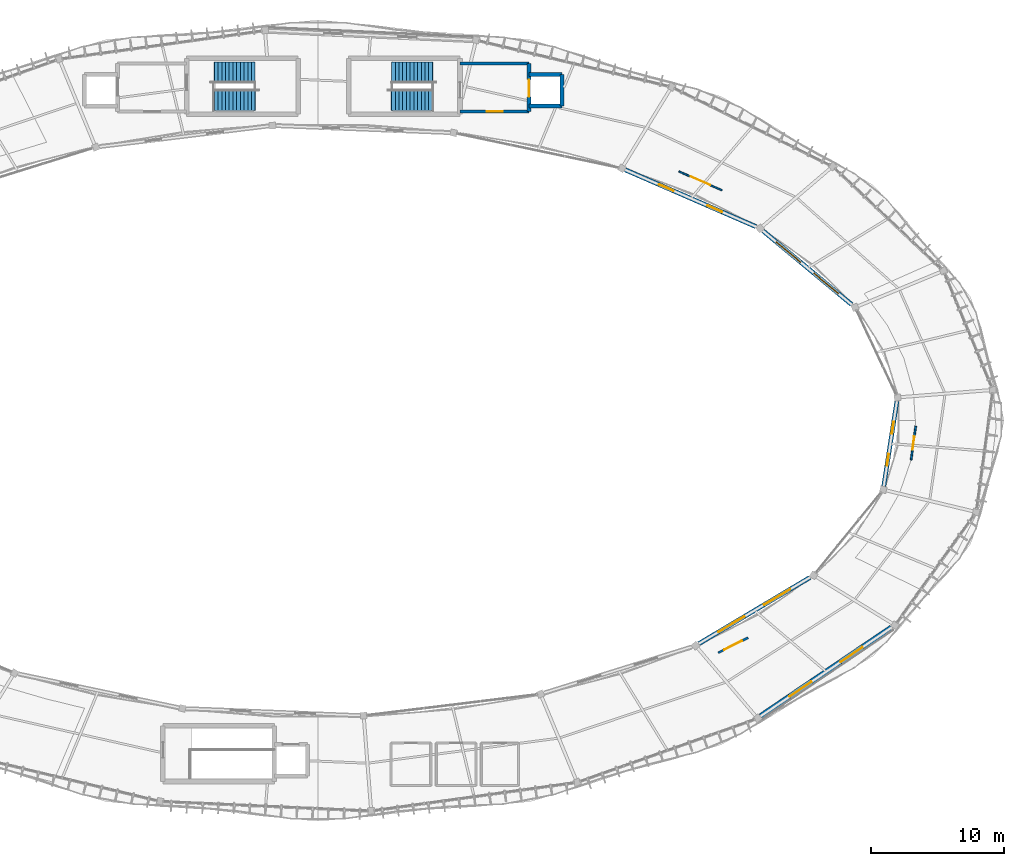
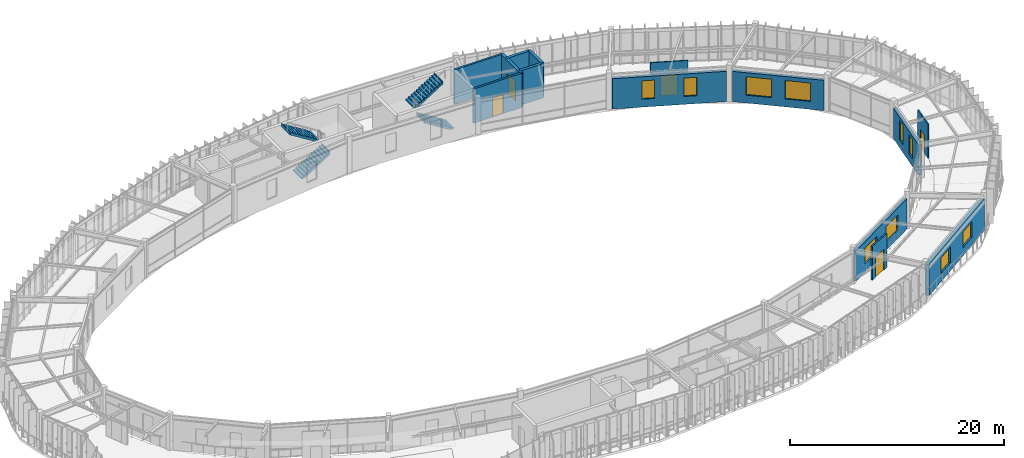
# One storey, part 70 of 78: 14 walls, 10 windows, 5 doors, 4 stair flights, 15 openings, 2 elements without a shape of their own.
"""IFC4 building model written with IfcOpenShell, lengths in metres."""

from ifc_helpers import new_model, si_unit, direction, frame, frame_2d, origin, place, context, subcontext, project, spatial, polyline, rectangle, outline, extrude, material, layer, layer_set, type_object, element, fill, aggregate, save


model = new_model("IFC4")

# Units and contexts
model_context = context("Model", 3, precision=1e-05, world=origin(), true_north=direction((0.0, 1.0)))
body_context = subcontext(model_context, "Body", "Model", "MODEL_VIEW")
ifc_project = project(units=[si_unit("LENGTHUNIT", "METRE"), si_unit("AREAUNIT", "SQUARE_METRE"), si_unit("VOLUMEUNIT", "CUBIC_METRE"), si_unit("PLANEANGLEUNIT", "RADIAN"), si_unit("MASSUNIT", "GRAM", prefix="KILO"), si_unit("THERMODYNAMICTEMPERATUREUNIT", "KELVIN"), si_unit("POWERUNIT", "WATT")], contexts=[model_context])

# Site, building, storey
site_placement = place(None, origin())
site = spatial("IfcSite", under=ifc_project, at=site_placement, CompositionType="ELEMENT")
building_placement = place(site_placement, origin())
building = spatial("IfcBuilding", under=site, at=building_placement, Name="Darbajah Civic Hall", CompositionType="ELEMENT")
storey_placement = place(building_placement, frame((0.0, 0.0, 26.39990234375)))
storey = spatial("IfcBuildingStorey", under=building, at=storey_placement, Name="L06", CompositionType="ELEMENT", Elevation=26.39990234375)

# Wall, opening, door
ifc_material_1 = material(Name="Concrete C45/55", Category="concrete")
ifc_layer_1 = layer(ifc_material_1, 0.300048828125, Name="Concrete C45/55")
ifc_layer_set_1 = layer_set([ifc_layer_1], Name="Concrete C45/55")
wall_type_1 = type_object("IfcWallType", Name="Core Shear Wall 300mm", PredefinedType="SHEAR", material=ifc_layer_set_1)
wall_1_placement = place(storey_placement, frame((105.0, 113.10009765625, 0.0), z_axis=(0.0, 0.0, 1.0), x_axis=(0.0, 1.0, 0.0)))
wall_1 = element("IfcWall", 1, at=wall_1_placement, inside=storey, type_object=wall_type_1, Name="L06 firefighting lobby C02 wall E", PredefinedType="SHEAR", context=body_context, shape_type="SweptSolid", body=[
    extrude(rectangle(XDim=3.599853515625, YDim=0.300048828125, at=frame_2d((1.7998046875, 0.0))), origin(), (0.0, 0.0, 1.0), 3.920166015625),
])
opening_1_placement = place(wall_1_placement, frame((1.10009765625, 0.0, 0.0)))
opening_1 = element("IfcOpeningElement", 2, at=opening_1_placement, cuts=wall_1, Name="Opening LD-0042", PredefinedType="OPENING", context=body_context, shape_type="SweptSolid", body=[
    extrude(rectangle(XDim=1.300048828125, YDim=2.300048828125, at=frame_2d((0.64990234375, 1.14990234375))), frame((0.0, 0.159912109375, 0.0), z_axis=(0.0, -1.0, 0.0), x_axis=(1.0, 0.0, 0.0)), (0.0, 0.0, 1.0), 0.320068359375),
])
ifc_material_2 = material(Name="Firefighting Lift Landing Door")
door_type_1 = type_object("IfcDoorType", Name="Lift Landing Door 1300x2300", OperationType="SLIDING_TO_LEFT", PredefinedType="DOOR", material=ifc_material_2)
door_1_placement = place(opening_1_placement, origin())
door_1 = element("IfcDoor", 3, at=door_1_placement, inside=storey, type_object=door_type_1, Name="L06 firefighting lift FL2 landing door LD-0042", OperationType="SLIDING_TO_LEFT", OverallHeight=2.300048828125, OverallWidth=1.300048828125, PredefinedType="DOOR", context=body_context, shape_type="SweptSolid", body=[
    extrude(rectangle(XDim=1.300048828125, YDim=2.300048828125, at=frame_2d((0.64990234375, 1.14990234375))), frame((0.0, 0.02490234375, 0.0), z_axis=(0.0, -1.0, 0.0), x_axis=(1.0, 0.0, 0.0)), (0.0, 0.0, 1.0), 0.050048828125),
])
fill(opening_1, door_1)

# Walls
for number, where, z_axis, x_axis, name in (
    (4, (107.5, 115.89990234375, 0.0), (0.0, 0.0, 1.0), (-1.0, 0.0, 0.0), "L06 lift FL2 shaft wall N"),
    (5, (105.0, 113.5, 0.0), (0.0, 0.0, 1.0), (1.0, 0.0, 0.0), "L06 lift FL2 shaft wall S"),
):
    element("IfcWall", number, at=place(storey_placement, frame(where, z_axis=z_axis, x_axis=x_axis)), inside=storey, type_object=wall_type_1, Name=name, PredefinedType="SHEAR", context=body_context, shape_type="SweptSolid", body=[
        extrude(rectangle(XDim=2.5, YDim=0.300048828125, at=frame_2d((1.25, 0.0))), origin(), (0.0, 0.0, 1.0), 3.920166015625),
    ])
wall_2_placement = place(storey_placement, frame((107.5, 113.5, 0.0), z_axis=(0.0, 0.0, 1.0), x_axis=(0.0, 1.0, 0.0)))
element("IfcWall", 6, at=wall_2_placement, inside=storey, type_object=wall_type_1, Name="L06 lift FL2 shaft wall OUT", PredefinedType="SHEAR", context=body_context, shape_type="SweptSolid", body=[
    extrude(rectangle(XDim=2.39990234375, YDim=0.300048828125, at=frame_2d((1.199951171875, 0.0))), origin(), (0.0, 0.0, 1.0), 3.920166015625),
])

# Wall, openings, windows
ifc_material_3 = material(Name="Qatari Desert Limestone Ashlar", Category="masonry")
ifc_layer_2 = layer(ifc_material_3, 0.340087890625, Name="Qatari Desert Limestone Ashlar")
ifc_layer_set_2 = layer_set([ifc_layer_2], Name="Qatari Desert Limestone Ashlar")
wall_type_2 = type_object("IfcWallType", Name="Exterior Wall 340mm", PredefinedType="SOLIDWALL", material=ifc_layer_set_2)
wall_3_placement = place(storey_placement, frame((129.3046875, 98.55078125, 0.0), z_axis=(0.0, 0.0, 1.0), x_axis=(-0.769161228706, 0.639054774066, 0.0)))
wall_3 = element("IfcWall", 7, at=wall_3_placement, inside=storey, type_object=wall_type_2, Name="L06 exterior wall EW-340", PredefinedType="SOLIDWALL", context=body_context, shape_type="SweptSolid", body=[
    extrude(rectangle(XDim=8.6787109375, YDim=0.340087890625, at=frame_2d((4.33935546875, 0.0))), origin(), (0.0, 0.0, 1.0), 3.463134765625),
])
opening_2_placement = place(wall_3_placement, frame((1.292724609375, 0.0, 0.89990234375)))
opening_2 = element("IfcOpeningElement", 8, at=opening_2_placement, cuts=wall_3, Name="Opening WN-08", PredefinedType="OPENING", context=body_context, shape_type="SweptSolid", body=[
    extrude(rectangle(XDim=2.39990234375, YDim=2.10009765625, at=frame_2d((1.199951171875, 1.050048828125))), frame((0.0, 0.179931640625, 0.0), z_axis=(0.0, -1.0, 0.0), x_axis=(1.0, 0.0, 0.0)), (0.0, 0.0, 1.0), 0.360107421875),
])
opening_3_placement = place(wall_3_placement, frame((4.985595703125, 0.0, 0.89990234375)))
opening_3 = element("IfcOpeningElement", 9, at=opening_3_placement, cuts=wall_3, Name="Opening WN-08", PredefinedType="OPENING", context=body_context, shape_type="SweptSolid", body=[
    extrude(rectangle(XDim=2.39990234375, YDim=2.10009765625, at=frame_2d((1.199951171875, 1.050048828125))), frame((0.0, 0.179931640625, 0.0), z_axis=(0.0, -1.0, 0.0), x_axis=(1.0, 0.0, 0.0)), (0.0, 0.0, 1.0), 0.360107421875),
])
ifc_material_4 = material(Name="Low-E Solar Control Double Glazing", Category="glass")
window_type_1 = type_object("IfcWindowType", Name="Facade Window 2400x2100", PartitioningType="DOUBLE_PANEL_VERTICAL", PredefinedType="WINDOW", material=ifc_material_4)
window_1_placement = place(opening_2_placement, origin())
window_1 = element("IfcWindow", 10, at=window_1_placement, inside=storey, type_object=window_type_1, Name="L06 facade window WN-08", OverallHeight=2.10009765625, OverallWidth=2.39990234375, PartitioningType="SINGLE_PANEL", PredefinedType="WINDOW", context=body_context, shape_type="SweptSolid", body=[
    extrude(rectangle(XDim=2.39990234375, YDim=2.10009765625, at=frame_2d((1.199951171875, 1.050048828125))), frame((0.0, 0.030029296875, 0.0), z_axis=(0.0, -1.0, 0.0), x_axis=(1.0, 0.0, 0.0)), (0.0, 0.0, 1.0), 0.06005859375),
])
fill(opening_2, window_1)
window_2_placement = place(opening_3_placement, origin())
window_2 = element("IfcWindow", 11, at=window_2_placement, inside=storey, type_object=window_type_1, Name="L06 facade window WN-08", OverallHeight=2.10009765625, OverallWidth=2.39990234375, PartitioningType="SINGLE_PANEL", PredefinedType="WINDOW", context=body_context, shape_type="SweptSolid", body=[
    extrude(rectangle(XDim=2.39990234375, YDim=2.10009765625, at=frame_2d((1.199951171875, 1.050048828125))), frame((0.0, 0.030029296875, 0.0), z_axis=(0.0, -1.0, 0.0), x_axis=(1.0, 0.0, 0.0)), (0.0, 0.0, 1.0), 0.06005859375),
])
fill(opening_3, window_2)

wall_4_placement = place(storey_placement, frame((122.097412109375, 104.416748046875, 0.0), z_axis=(0.0, 0.0, 1.0), x_axis=(-0.917052712132, 0.398766000522, 0.0)))
wall_4 = element("IfcWall", 12, at=wall_4_placement, inside=storey, type_object=wall_type_2, Name="L06 exterior wall EW-340", PredefinedType="SOLIDWALL", context=body_context, shape_type="SweptSolid", body=[
    extrude(rectangle(XDim=10.742431640625, YDim=0.340087890625, at=frame_2d((5.37109375, 0.0))), origin(), (0.0, 0.0, 1.0), 3.463134765625),
])
opening_4_placement = place(wall_4_placement, frame((2.78076171875, 0.0, 0.89990234375)))
opening_4 = element("IfcOpeningElement", 13, at=opening_4_placement, cuts=wall_4, Name="Opening WN-01", PredefinedType="OPENING", context=body_context, shape_type="SweptSolid", body=[
    extrude(rectangle(XDim=1.199951171875, YDim=2.10009765625, at=frame_2d((0.60009765625, 1.050048828125))), frame((0.0, 0.179931640625, 0.0), z_axis=(0.0, -1.0, 0.0), x_axis=(1.0, 0.0, 0.0)), (0.0, 0.0, 1.0), 0.360107421875),
])
opening_5_placement = place(wall_4_placement, frame((6.761474609375, 0.0, 0.89990234375)))
opening_5 = element("IfcOpeningElement", 14, at=opening_5_placement, cuts=wall_4, Name="Opening WN-01", PredefinedType="OPENING", context=body_context, shape_type="SweptSolid", body=[
    extrude(rectangle(XDim=1.199951171875, YDim=2.10009765625, at=frame_2d((0.60009765625, 1.050048828125))), frame((0.0, 0.179931640625, 0.0), z_axis=(0.0, -1.0, 0.0), x_axis=(1.0, 0.0, 0.0)), (0.0, 0.0, 1.0), 0.360107421875),
])
window_type_2 = type_object("IfcWindowType", Name="Facade Window 1200x2100", PartitioningType="SINGLE_PANEL", PredefinedType="WINDOW", material=ifc_material_4)
window_3_placement = place(opening_4_placement, origin())
window_3 = element("IfcWindow", 15, at=window_3_placement, inside=storey, type_object=window_type_2, Name="L06 facade window WN-01", OverallHeight=2.10009765625, OverallWidth=1.199951171875, PartitioningType="SINGLE_PANEL", PredefinedType="WINDOW", context=body_context, shape_type="SweptSolid", body=[
    extrude(rectangle(XDim=1.199951171875, YDim=2.10009765625, at=frame_2d((0.60009765625, 1.050048828125))), frame((0.0, 0.030029296875, 0.0), z_axis=(0.0, -1.0, 0.0), x_axis=(1.0, 0.0, 0.0)), (0.0, 0.0, 1.0), 0.06005859375),
])
fill(opening_4, window_3)
window_4_placement = place(opening_5_placement, origin())
window_4 = element("IfcWindow", 16, at=window_4_placement, inside=storey, type_object=window_type_2, Name="L06 facade window WN-01", OverallHeight=2.10009765625, OverallWidth=1.199951171875, PartitioningType="SINGLE_PANEL", PredefinedType="WINDOW", context=body_context, shape_type="SweptSolid", body=[
    extrude(rectangle(XDim=1.199951171875, YDim=2.10009765625, at=frame_2d((0.60009765625, 1.050048828125))), frame((0.0, 0.030029296875, 0.0), z_axis=(0.0, -1.0, 0.0), x_axis=(1.0, 0.0, 0.0)), (0.0, 0.0, 1.0), 0.06005859375),
])
fill(opening_5, window_4)

wall_5_placement = place(storey_placement, frame((117.79541015625, 72.99169921875, 0.0), z_axis=(0.0, 0.0, 1.0), x_axis=(0.858957160362, 0.51204745548, 0.0)))
wall_5 = element("IfcWall", 17, at=wall_5_placement, inside=storey, type_object=wall_type_2, Name="L06 exterior wall EW-340", PredefinedType="SOLIDWALL", context=body_context, shape_type="SweptSolid", body=[
    extrude(rectangle(XDim=9.73095703125, YDim=0.340087890625, at=frame_2d((4.865478515625, 0.0))), origin(), (0.0, 0.0, 1.0), 3.463134765625),
])
opening_6_placement = place(wall_5_placement, frame((1.71044921875, 0.0, 0.89990234375)))
opening_6 = element("IfcOpeningElement", 18, at=opening_6_placement, cuts=wall_5, Name="Opening WN-22", PredefinedType="OPENING", context=body_context, shape_type="SweptSolid", body=[
    extrude(rectangle(XDim=2.300048828125, YDim=1.800048828125, at=frame_2d((1.14990234375, 0.89990234375))), frame((0.0, 0.179931640625, 0.0), z_axis=(0.0, -1.0, 0.0), x_axis=(1.0, 0.0, 0.0)), (0.0, 0.0, 1.0), 0.360107421875),
])
opening_7_placement = place(wall_5_placement, frame((5.720703125, 0.0, 0.89990234375)))
opening_7 = element("IfcOpeningElement", 19, at=opening_7_placement, cuts=wall_5, Name="Opening WN-22", PredefinedType="OPENING", context=body_context, shape_type="SweptSolid", body=[
    extrude(rectangle(XDim=2.300048828125, YDim=1.800048828125, at=frame_2d((1.14990234375, 0.89990234375))), frame((0.0, 0.179931640625, 0.0), z_axis=(0.0, -1.0, 0.0), x_axis=(1.0, 0.0, 0.0)), (0.0, 0.0, 1.0), 0.360107421875),
])
window_type_3 = type_object("IfcWindowType", Name="Facade Window 2300x1800", PartitioningType="DOUBLE_PANEL_VERTICAL", PredefinedType="WINDOW", material=ifc_material_4)
window_5_placement = place(opening_6_placement, origin())
window_5 = element("IfcWindow", 20, at=window_5_placement, inside=storey, type_object=window_type_3, Name="L06 facade window WN-22", OverallHeight=1.800048828125, OverallWidth=2.300048828125, PartitioningType="SINGLE_PANEL", PredefinedType="WINDOW", context=body_context, shape_type="SweptSolid", body=[
    extrude(rectangle(XDim=2.300048828125, YDim=1.800048828125, at=frame_2d((1.14990234375, 0.89990234375))), frame((0.0, 0.030029296875, 0.0), z_axis=(0.0, -1.0, 0.0), x_axis=(1.0, 0.0, 0.0)), (0.0, 0.0, 1.0), 0.06005859375),
])
fill(opening_6, window_5)
window_6_placement = place(opening_7_placement, origin())
window_6 = element("IfcWindow", 21, at=window_6_placement, inside=storey, type_object=window_type_3, Name="L06 facade window WN-22", OverallHeight=1.800048828125, OverallWidth=2.300048828125, PartitioningType="SINGLE_PANEL", PredefinedType="WINDOW", context=body_context, shape_type="SweptSolid", body=[
    extrude(rectangle(XDim=2.300048828125, YDim=1.800048828125, at=frame_2d((1.14990234375, 0.89990234375))), frame((0.0, 0.030029296875, 0.0), z_axis=(0.0, -1.0, 0.0), x_axis=(1.0, 0.0, 0.0)), (0.0, 0.0, 1.0), 0.06005859375),
])
fill(opening_7, window_6)

wall_6_placement = place(storey_placement, frame((131.731201171875, 84.86279296875, 0.0), z_axis=(0.0, 0.0, 1.0), x_axis=(0.152786595481, 0.988259204987, 0.0)))
wall_6 = element("IfcWall", 22, at=wall_6_placement, inside=storey, type_object=wall_type_2, Name="L06 exterior wall EW-340", PredefinedType="SOLIDWALL", context=body_context, shape_type="SweptSolid", body=[
    extrude(rectangle(XDim=6.463623046875, YDim=0.340087890625, at=frame_2d((3.23193359375, 0.0))), origin(), (0.0, 0.0, 1.0), 3.463134765625),
])
opening_8_placement = place(wall_6_placement, frame((1.554443359375, 0.0, 0.89990234375)))
opening_8 = element("IfcOpeningElement", 23, at=opening_8_placement, cuts=wall_6, Name="Opening WN-23", PredefinedType="OPENING", context=body_context, shape_type="SweptSolid", body=[
    extrude(rectangle(XDim=0.89990234375, YDim=2.199951171875, at=frame_2d((0.449951171875, 1.10009765625))), frame((0.0, 0.179931640625, 0.0), z_axis=(0.0, -1.0, 0.0), x_axis=(1.0, 0.0, 0.0)), (0.0, 0.0, 1.0), 0.360107421875),
])
opening_9_placement = place(wall_6_placement, frame((4.009033203125, 0.0, 0.89990234375)))
opening_9 = element("IfcOpeningElement", 24, at=opening_9_placement, cuts=wall_6, Name="Opening WN-23", PredefinedType="OPENING", context=body_context, shape_type="SweptSolid", body=[
    extrude(rectangle(XDim=0.89990234375, YDim=2.199951171875, at=frame_2d((0.449951171875, 1.10009765625))), frame((0.0, 0.179931640625, 0.0), z_axis=(0.0, -1.0, 0.0), x_axis=(1.0, 0.0, 0.0)), (0.0, 0.0, 1.0), 0.360107421875),
])
window_type_4 = type_object("IfcWindowType", Name="Facade Window 900x2200", PartitioningType="SINGLE_PANEL", PredefinedType="WINDOW", material=ifc_material_4)
window_7_placement = place(opening_8_placement, origin())
window_7 = element("IfcWindow", 25, at=window_7_placement, inside=storey, type_object=window_type_4, Name="L06 facade window WN-23", OverallHeight=2.199951171875, OverallWidth=0.89990234375, PartitioningType="SINGLE_PANEL", PredefinedType="WINDOW", context=body_context, shape_type="SweptSolid", body=[
    extrude(rectangle(XDim=0.89990234375, YDim=2.199951171875, at=frame_2d((0.449951171875, 1.10009765625))), frame((0.0, 0.030029296875, 0.0), z_axis=(0.0, -1.0, 0.0), x_axis=(1.0, 0.0, 0.0)), (0.0, 0.0, 1.0), 0.06005859375),
])
fill(opening_8, window_7)
window_8_placement = place(opening_9_placement, origin())
window_8 = element("IfcWindow", 26, at=window_8_placement, inside=storey, type_object=window_type_4, Name="L06 facade window WN-23", OverallHeight=2.199951171875, OverallWidth=0.89990234375, PartitioningType="SINGLE_PANEL", PredefinedType="WINDOW", context=body_context, shape_type="SweptSolid", body=[
    extrude(rectangle(XDim=0.89990234375, YDim=2.199951171875, at=frame_2d((0.449951171875, 1.10009765625))), frame((0.0, 0.030029296875, 0.0), z_axis=(0.0, -1.0, 0.0), x_axis=(1.0, 0.0, 0.0)), (0.0, 0.0, 1.0), 0.06005859375),
])
fill(opening_9, window_8)

ifc_layer_3 = layer(ifc_material_3, 0.419921875, Name="Qatari Desert Limestone Ashlar")
ifc_layer_set_3 = layer_set([ifc_layer_3], Name="Qatari Desert Limestone Ashlar")
wall_type_3 = type_object("IfcWallType", Name="Exterior Wall 420mm", PredefinedType="SOLIDWALL", material=ifc_layer_set_3)
wall_7_placement = place(storey_placement, frame((122.452392578125, 67.524169921875, 0.0), z_axis=(0.0, 0.0, 1.0), x_axis=(0.827980122544, 0.560757449056, 0.0)))
wall_7 = element("IfcWall", 27, at=wall_7_placement, inside=storey, type_object=wall_type_3, Name="L06 exterior wall EW-420", PredefinedType="SOLIDWALL", context=body_context, shape_type="SweptSolid", body=[
    extrude(rectangle(XDim=11.904541015625, YDim=0.419921875, at=frame_2d((5.9521484375, 0.0))), origin(), (0.0, 0.0, 1.0), 3.570068359375),
])
opening_10_placement = place(wall_7_placement, frame((2.634765625, 0.0, 0.89990234375)))
opening_10 = element("IfcOpeningElement", 28, at=opening_10_placement, cuts=wall_7, Name="Opening WN-21", PredefinedType="OPENING", context=body_context, shape_type="SweptSolid", body=[
    extrude(rectangle(XDim=2.0, YDim=1.800048828125, at=frame_2d((1.0, 0.89990234375))), frame((0.0, 0.219970703125, 0.0), z_axis=(0.0, -1.0, 0.0), x_axis=(1.0, 0.0, 0.0)), (0.0, 0.0, 1.0), 0.43994140625),
])
opening_11_placement = place(wall_7_placement, frame((7.269775390625, 0.0, 0.89990234375)))
opening_11 = element("IfcOpeningElement", 29, at=opening_11_placement, cuts=wall_7, Name="Opening WN-21", PredefinedType="OPENING", context=body_context, shape_type="SweptSolid", body=[
    extrude(rectangle(XDim=2.0, YDim=1.800048828125, at=frame_2d((1.0, 0.89990234375))), frame((0.0, 0.219970703125, 0.0), z_axis=(0.0, -1.0, 0.0), x_axis=(1.0, 0.0, 0.0)), (0.0, 0.0, 1.0), 0.43994140625),
])
window_type_5 = type_object("IfcWindowType", Name="Facade Window 2000x1800", PartitioningType="DOUBLE_PANEL_VERTICAL", PredefinedType="WINDOW", material=ifc_material_4)
window_9_placement = place(opening_10_placement, origin())
window_9 = element("IfcWindow", 30, at=window_9_placement, inside=storey, type_object=window_type_5, Name="L06 facade window WN-21", OverallHeight=1.800048828125, OverallWidth=2.0, PartitioningType="SINGLE_PANEL", PredefinedType="WINDOW", context=body_context, shape_type="SweptSolid", body=[
    extrude(rectangle(XDim=2.0, YDim=1.800048828125, at=frame_2d((1.0, 0.89990234375))), frame((0.0, 0.030029296875, 0.0), z_axis=(0.0, -1.0, 0.0), x_axis=(1.0, 0.0, 0.0)), (0.0, 0.0, 1.0), 0.06005859375),
])
fill(opening_10, window_9)
window_10_placement = place(opening_11_placement, origin())
window_10 = element("IfcWindow", 31, at=window_10_placement, inside=storey, type_object=window_type_5, Name="L06 facade window WN-21", OverallHeight=1.800048828125, OverallWidth=2.0, PartitioningType="SINGLE_PANEL", PredefinedType="WINDOW", context=body_context, shape_type="SweptSolid", body=[
    extrude(rectangle(XDim=2.0, YDim=1.800048828125, at=frame_2d((1.0, 0.89990234375))), frame((0.0, 0.030029296875, 0.0), z_axis=(0.0, -1.0, 0.0), x_axis=(1.0, 0.0, 0.0)), (0.0, 0.0, 1.0), 0.06005859375),
])
fill(opening_11, window_10)

# Wall, opening, door
ifc_layer_4 = layer(ifc_material_1, 0.219970703125, Name="Concrete C45/55")
ifc_layer_set_4 = layer_set([ifc_layer_4], Name="Concrete C45/55")
wall_type_4 = type_object("IfcWallType", Name="Firefighting Shaft Wall 220mm", PredefinedType="SOLIDWALL", material=ifc_layer_set_4)
wall_8_placement = place(storey_placement, frame((99.800048828125, 113.10009765625, 0.0), z_axis=(0.0, 0.0, 1.0), x_axis=(1.0, 0.0, 0.0)))
wall_8 = element("IfcWall", 32, at=wall_8_placement, inside=storey, type_object=wall_type_4, Name="L06 firefighting lobby C02 wall S", PredefinedType="SOLIDWALL", context=body_context, shape_type="SweptSolid", body=[
    extrude(rectangle(XDim=5.199951171875, YDim=0.219970703125, at=frame_2d((2.60009765625, 0.0))), origin(), (0.0, 0.0, 1.0), 3.920166015625),
])
opening_12_placement = place(wall_8_placement, frame((2.0, 0.0, 0.0)))
opening_12 = element("IfcOpeningElement", 33, at=opening_12_placement, cuts=wall_8, Name="Opening FD-0035", PredefinedType="OPENING", context=body_context, shape_type="SweptSolid", body=[
    extrude(rectangle(XDim=1.199951171875, YDim=2.199951171875, at=frame_2d((0.60009765625, 1.10009765625))), frame((0.0, 0.119873046875, 0.0), z_axis=(0.0, -1.0, 0.0), x_axis=(1.0, 0.0, 0.0)), (0.0, 0.0, 1.0), 0.239990234375),
])
ifc_material_5 = material(Name="Painted Hardwood Fire Door", Category="wood")
door_type_2 = type_object("IfcDoorType", Name="Interior Door 1200x2200", OperationType="NOTDEFINED", PredefinedType="DOOR", material=ifc_material_5)
door_2_placement = place(opening_12_placement, origin())
door_2 = element("IfcDoor", 34, at=door_2_placement, inside=storey, type_object=door_type_2, Name="L06 firefighting lobby C02 entrance door FD-0035", OperationType="SINGLE_SWING_RIGHT", OverallHeight=2.199951171875, OverallWidth=1.199951171875, PredefinedType="DOOR", context=body_context, shape_type="SweptSolid", body=[
    extrude(rectangle(XDim=1.199951171875, YDim=2.199951171875, at=frame_2d((0.60009765625, 1.10009765625))), frame((0.0, 0.02490234375, 0.0), z_axis=(0.0, -1.0, 0.0), x_axis=(1.0, 0.0, 0.0)), (0.0, 0.0, 1.0), 0.050048828125),
])
fill(opening_12, door_2)

# Wall
wall_9_placement = place(storey_placement, frame((105.0, 116.699951171875, 0.0), z_axis=(0.0, 0.0, 1.0), x_axis=(-1.0, 0.0, 0.0)))
element("IfcWall", 35, at=wall_9_placement, inside=storey, type_object=wall_type_4, Name="L06 firefighting lobby C02 wall N", PredefinedType="SOLIDWALL", context=body_context, shape_type="SweptSolid", body=[
    extrude(rectangle(XDim=5.199951171875, YDim=0.219970703125, at=frame_2d((2.60009765625, 0.0))), origin(), (0.0, 0.0, 1.0), 3.920166015625),
])

# Wall, opening, door
ifc_material_6 = material(Name="Acoustic Gypsum Partition")
ifc_layer_5 = layer(ifc_material_6, 0.114990234375, Name="Acoustic Gypsum Partition")
ifc_layer_set_5 = layer_set([ifc_layer_5], Name="Acoustic Gypsum Partition")
wall_type_5 = type_object("IfcWallType", Name="Interior Partition 115mm", PredefinedType="PARTITIONING", material=ifc_layer_set_5)
wall_10_placement = place(storey_placement, frame((119.535400390625, 107.162841796875, 0.0), z_axis=(0.0, 0.0, 1.0), x_axis=(-0.916745189158, 0.399472474842, 0.0)))
wall_10 = element("IfcWall", 36, at=wall_10_placement, inside=storey, type_object=wall_type_5, Name="L06 interior partition L06-V1-03", PredefinedType="PARTITIONING", context=body_context, shape_type="SweptSolid", body=[
    extrude(rectangle(XDim=3.539794921875, YDim=0.114990234375, at=frame_2d((1.77001953125, 0.0))), origin(), (0.0, 0.0, 1.0), 3.860107421875),
])
opening_13_placement = place(wall_10_placement, frame((0.969970703125, 0.0, 0.0)))
opening_13 = element("IfcOpeningElement", 37, at=opening_13_placement, cuts=wall_10, Name="Opening D-0267", PredefinedType="OPENING", context=body_context, shape_type="SweptSolid", body=[
    extrude(rectangle(XDim=1.60009765625, YDim=2.300048828125, at=frame_2d((0.800048828125, 1.14990234375))), frame((0.0, 0.0673828125, 0.0), z_axis=(0.0, -1.0, 0.0), x_axis=(1.0, 0.0, 0.0)), (0.0, 0.0, 1.0), 0.135009765625),
])
door_type_3 = type_object("IfcDoorType", Name="Interior Door 1600x2300", OperationType="NOTDEFINED", PredefinedType="DOOR", material=ifc_material_5)
door_3_placement = place(opening_13_placement, origin())
door_3 = element("IfcDoor", 38, at=door_3_placement, inside=storey, type_object=door_type_3, Name="L06 L06-V1-03 door D-0267", OperationType="DOUBLE_DOOR_SINGLE_SWING", OverallHeight=2.300048828125, OverallWidth=1.60009765625, PredefinedType="DOOR", context=body_context, shape_type="SweptSolid", body=[
    extrude(rectangle(XDim=1.60009765625, YDim=2.300048828125, at=frame_2d((0.800048828125, 1.14990234375))), frame((0.0, 0.02490234375, 0.0), z_axis=(0.0, -1.0, 0.0), x_axis=(1.0, 0.0, 0.0)), (0.0, 0.0, 1.0), 0.050048828125),
])
fill(opening_13, door_3)

ifc_material_7 = material(Name="Gypsum Plasterboard on Steel Stud", Category="steel")
ifc_layer_6 = layer(ifc_material_7, 0.135009765625, Name="Gypsum Plasterboard on Steel Stud")
ifc_layer_set_6 = layer_set([ifc_layer_6], Name="Gypsum Plasterboard on Steel Stud")
wall_type_6 = type_object("IfcWallType", Name="Interior Partition 135mm", PredefinedType="PARTITIONING", material=ifc_layer_set_6)
wall_11_placement = place(storey_placement, frame((134.14306640625, 89.388916015625, 0.0), z_axis=(0.0, 0.0, 1.0), x_axis=(-0.136646983849, -0.990619806891, 0.0)))
wall_11 = element("IfcWall", 39, at=wall_11_placement, inside=storey, type_object=wall_type_6, Name="L06 interior partition L06-V1-02", PredefinedType="PARTITIONING", context=body_context, shape_type="SweptSolid", body=[
    extrude(rectangle(XDim=2.585205078125, YDim=0.135009765625, at=frame_2d((1.29248046875, 0.0))), origin(), (0.0, 0.0, 1.0), 3.860107421875),
])
opening_14_placement = place(wall_11_placement, frame((0.79248046875, 0.0, 0.0)))
opening_14 = element("IfcOpeningElement", 40, at=opening_14_placement, cuts=wall_11, Name="Opening D-0266", PredefinedType="OPENING", context=body_context, shape_type="SweptSolid", body=[
    extrude(rectangle(XDim=1.0, YDim=2.10009765625, at=frame_2d((0.5, 1.050048828125))), frame((0.0, 0.077392578125, 0.0), z_axis=(0.0, -1.0, 0.0), x_axis=(1.0, 0.0, 0.0)), (0.0, 0.0, 1.0), 0.155029296875),
])
ifc_material_8 = material(Name="Oak Suite Door")
door_type_4 = type_object("IfcDoorType", Name="Interior Door 1000x2100", OperationType="NOTDEFINED", PredefinedType="DOOR", material=ifc_material_8)
door_4_placement = place(opening_14_placement, origin())
door_4 = element("IfcDoor", 41, at=door_4_placement, inside=storey, type_object=door_type_4, Name="L06 L06-V1-02 door D-0266", OperationType="SINGLE_SWING_LEFT", OverallHeight=2.10009765625, OverallWidth=1.0, PredefinedType="DOOR", context=body_context, shape_type="SweptSolid", body=[
    extrude(rectangle(XDim=1.0, YDim=2.10009765625, at=frame_2d((0.5, 1.050048828125))), frame((0.0, 0.02490234375, 0.0), z_axis=(0.0, -1.0, 0.0), x_axis=(1.0, 0.0, 0.0)), (0.0, 0.0, 1.0), 0.050048828125),
])
fill(opening_14, door_4)

ifc_layer_7 = layer(ifc_material_7, 0.159912109375, Name="Gypsum Plasterboard on Steel Stud")
ifc_layer_set_7 = layer_set([ifc_layer_7], Name="Gypsum Plasterboard on Steel Stud")
wall_type_7 = type_object("IfcWallType", Name="Interior Partition 160mm", PredefinedType="PARTITIONING", material=ifc_layer_set_7)
wall_12_placement = place(storey_placement, frame((121.50634765625, 73.44091796875, 0.0), z_axis=(0.0, 0.0, 1.0), x_axis=(-0.892666776671, -0.450717234891, 0.0)))
wall_12 = element("IfcWall", 42, at=wall_12_placement, inside=storey, type_object=wall_type_7, Name="L06 interior partition L06-V1-01", PredefinedType="PARTITIONING", context=body_context, shape_type="SweptSolid", body=[
    extrude(rectangle(XDim=2.533935546875, YDim=0.159912109375, at=frame_2d((1.26708984375, 0.0))), origin(), (0.0, 0.0, 1.0), 3.860107421875),
])
opening_15_placement = place(wall_12_placement, frame((0.516845703125, 0.0, 0.0)))
opening_15 = element("IfcOpeningElement", 43, at=opening_15_placement, cuts=wall_12, Name="Opening D-0265", PredefinedType="OPENING", context=body_context, shape_type="SweptSolid", body=[
    extrude(rectangle(XDim=1.5, YDim=2.35009765625, at=frame_2d((0.75, 1.175048828125))), frame((0.0, 0.08984375, 0.0), z_axis=(0.0, -1.0, 0.0), x_axis=(1.0, 0.0, 0.0)), (0.0, 0.0, 1.0), 0.179931640625),
])
ifc_material_9 = material(Name="Committee Chamber Double Door")
door_type_5 = type_object("IfcDoorType", Name="Interior Door 1500x2350", OperationType="NOTDEFINED", PredefinedType="DOOR", material=ifc_material_9)
door_5_placement = place(opening_15_placement, origin())
door_5 = element("IfcDoor", 44, at=door_5_placement, inside=storey, type_object=door_type_5, Name="L06 L06-V1-01 door D-0265", OperationType="DOUBLE_DOOR_SINGLE_SWING", OverallHeight=2.35009765625, OverallWidth=1.5, PredefinedType="DOOR", context=body_context, shape_type="SweptSolid", body=[
    extrude(rectangle(XDim=1.5, YDim=2.35009765625, at=frame_2d((0.75, 1.175048828125))), frame((0.0, 0.02490234375, 0.0), z_axis=(0.0, -1.0, 0.0), x_axis=(1.0, 0.0, 0.0)), (0.0, 0.0, 1.0), 0.050048828125),
])
fill(opening_15, door_5)

# Stair, stair flights
stair_type = type_object("IfcStairType", Name="Half Turn Stair 1650x4200", PredefinedType="HALF_TURN_STAIR", material=ifc_material_1)
stair_1_placement = place(storey_placement, origin())
stair_1 = element("IfcStair", 45, at=stair_1_placement, inside=storey, type_object=stair_type, Name="L06 enclosed exit stair ST01", PredefinedType="HALF_TURN_STAIR")
ifc_material_10 = material(Name="Precast Concrete C45/55", Category="concrete")
stair_flight_type = type_object("IfcStairFlightType", Name="Stair Flight 12R 280G", PredefinedType="STRAIGHT", material=ifc_material_10)
stair_flight_1_placement = place(storey_placement, frame((81.280029296875, 113.965087890625, 0.0), z_axis=(0.0, 0.0, 1.0), x_axis=(1.0, 0.0, 0.0)))
stair_flight_1 = element("IfcStairFlight", 46, at=stair_flight_1_placement, type_object=stair_flight_type, Name="ST01 L06 lower flight", NumberOfRisers=12, NumberOfTreads=11, PredefinedType="STRAIGHT", RiserHeight=0.175, TreadLength=0.28, context=body_context, shape_type="SweptSolid", body=[
    extrude(outline(polyline([(0.0, 0.0), (0.0, 0.175048828125), (0.280029296875, 0.175048828125), (0.280029296875, 0.35009765625), (0.56005859375, 0.35009765625), (0.56005859375, 0.52490234375), (0.840087890625, 0.52490234375), (0.840087890625, 0.699951171875), (1.1201171875, 0.699951171875), (1.1201171875, 0.875), (1.39990234375, 0.875), (1.39990234375, 1.050048828125), (1.679931640625, 1.050048828125), (1.679931640625, 1.22509765625), (1.9599609375, 1.22509765625), (1.9599609375, 1.39990234375), (2.239990234375, 1.39990234375), (2.239990234375, 1.574951171875), (2.52001953125, 1.574951171875), (2.52001953125, 1.75), (2.800048828125, 1.75), (2.800048828125, 1.925048828125), (3.080078125, 1.925048828125), (3.080078125, 2.10009765625), (3.1201171875, 2.10009765625), (3.1201171875, 1.712890625), (0.37939453125, 0.0), (0.0, 0.0)])), frame((0.0, 0.77490234375, 0.0), z_axis=(0.0, -1.0, 0.0), x_axis=(1.0, 0.0, 0.0)), (0.0, 0.0, 1.0), 1.550048828125),
])
stair_flight_2_placement = place(storey_placement, frame((84.360107421875, 116.034912109375, 2.10009765625), z_axis=(0.0, 0.0, 1.0), x_axis=(-1.0, 0.0, 0.0)))
stair_flight_2 = element("IfcStairFlight", 47, at=stair_flight_2_placement, type_object=stair_flight_type, Name="ST01 L06 upper flight", NumberOfRisers=12, NumberOfTreads=11, PredefinedType="STRAIGHT", RiserHeight=0.175, TreadLength=0.28, context=body_context, shape_type="SweptSolid", body=[
    extrude(outline(polyline([(0.0, 0.0), (0.0, 0.175048828125), (0.280029296875, 0.175048828125), (0.280029296875, 0.35009765625), (0.56005859375, 0.35009765625), (0.56005859375, 0.52490234375), (0.840087890625, 0.52490234375), (0.840087890625, 0.699951171875), (1.1201171875, 0.699951171875), (1.1201171875, 0.875), (1.39990234375, 0.875), (1.39990234375, 1.050048828125), (1.679931640625, 1.050048828125), (1.679931640625, 1.22509765625), (1.9599609375, 1.22509765625), (1.9599609375, 1.39990234375), (2.239990234375, 1.39990234375), (2.239990234375, 1.574951171875), (2.52001953125, 1.574951171875), (2.52001953125, 1.75), (2.800048828125, 1.75), (2.800048828125, 1.925048828125), (3.080078125, 1.925048828125), (3.080078125, 2.10009765625), (3.1201171875, 2.10009765625), (3.1201171875, 1.712890625), (0.37939453125, 0.0), (0.0, 0.0)])), frame((0.0, 0.77490234375, 0.0), z_axis=(0.0, -1.0, 0.0), x_axis=(1.0, 0.0, 0.0)), (0.0, 0.0, 1.0), 1.550048828125),
])
aggregate(stair_1, [stair_flight_1, stair_flight_2])

stair_2_placement = place(storey_placement, origin())
stair_2 = element("IfcStair", 48, at=stair_2_placement, inside=storey, type_object=stair_type, Name="L06 enclosed exit stair ST02", PredefinedType="HALF_TURN_STAIR")
stair_flight_3_placement = place(storey_placement, frame((97.719970703125, 113.965087890625, 0.0), z_axis=(0.0, 0.0, 1.0), x_axis=(-1.0, 0.0, 0.0)))
stair_flight_3 = element("IfcStairFlight", 49, at=stair_flight_3_placement, type_object=stair_flight_type, Name="ST02 L06 lower flight", NumberOfRisers=12, NumberOfTreads=11, PredefinedType="STRAIGHT", RiserHeight=0.175, TreadLength=0.28, context=body_context, shape_type="SweptSolid", body=[
    extrude(outline(polyline([(0.0, 0.0), (0.0, 0.175048828125), (0.280029296875, 0.175048828125), (0.280029296875, 0.35009765625), (0.56005859375, 0.35009765625), (0.56005859375, 0.52490234375), (0.840087890625, 0.52490234375), (0.840087890625, 0.699951171875), (1.1201171875, 0.699951171875), (1.1201171875, 0.875), (1.39990234375, 0.875), (1.39990234375, 1.050048828125), (1.679931640625, 1.050048828125), (1.679931640625, 1.22509765625), (1.9599609375, 1.22509765625), (1.9599609375, 1.39990234375), (2.239990234375, 1.39990234375), (2.239990234375, 1.574951171875), (2.52001953125, 1.574951171875), (2.52001953125, 1.75), (2.800048828125, 1.75), (2.800048828125, 1.925048828125), (3.080078125, 1.925048828125), (3.080078125, 2.10009765625), (3.1201171875, 2.10009765625), (3.1201171875, 1.712890625), (0.37939453125, 0.0), (0.0, 0.0)])), frame((0.0, 0.77490234375, 0.0), z_axis=(0.0, -1.0, 0.0), x_axis=(1.0, 0.0, 0.0)), (0.0, 0.0, 1.0), 1.550048828125),
])
stair_flight_4_placement = place(storey_placement, frame((94.639892578125, 116.034912109375, 2.10009765625), z_axis=(0.0, 0.0, 1.0), x_axis=(1.0, 0.0, 0.0)))
stair_flight_4 = element("IfcStairFlight", 50, at=stair_flight_4_placement, type_object=stair_flight_type, Name="ST02 L06 upper flight", NumberOfRisers=12, NumberOfTreads=11, PredefinedType="STRAIGHT", RiserHeight=0.175, TreadLength=0.28, context=body_context, shape_type="SweptSolid", body=[
    extrude(outline(polyline([(0.0, 0.0), (0.0, 0.175048828125), (0.280029296875, 0.175048828125), (0.280029296875, 0.35009765625), (0.56005859375, 0.35009765625), (0.56005859375, 0.52490234375), (0.840087890625, 0.52490234375), (0.840087890625, 0.699951171875), (1.1201171875, 0.699951171875), (1.1201171875, 0.875), (1.39990234375, 0.875), (1.39990234375, 1.050048828125), (1.679931640625, 1.050048828125), (1.679931640625, 1.22509765625), (1.9599609375, 1.22509765625), (1.9599609375, 1.39990234375), (2.239990234375, 1.39990234375), (2.239990234375, 1.574951171875), (2.52001953125, 1.574951171875), (2.52001953125, 1.75), (2.800048828125, 1.75), (2.800048828125, 1.925048828125), (3.080078125, 1.925048828125), (3.080078125, 2.10009765625), (3.1201171875, 2.10009765625), (3.1201171875, 1.712890625), (0.37939453125, 0.0), (0.0, 0.0)])), frame((0.0, 0.77490234375, 0.0), z_axis=(0.0, -1.0, 0.0), x_axis=(1.0, 0.0, 0.0)), (0.0, 0.0, 1.0), 1.550048828125),
])
aggregate(stair_2, [stair_flight_3, stair_flight_4])

save(model, "model.ifc")
